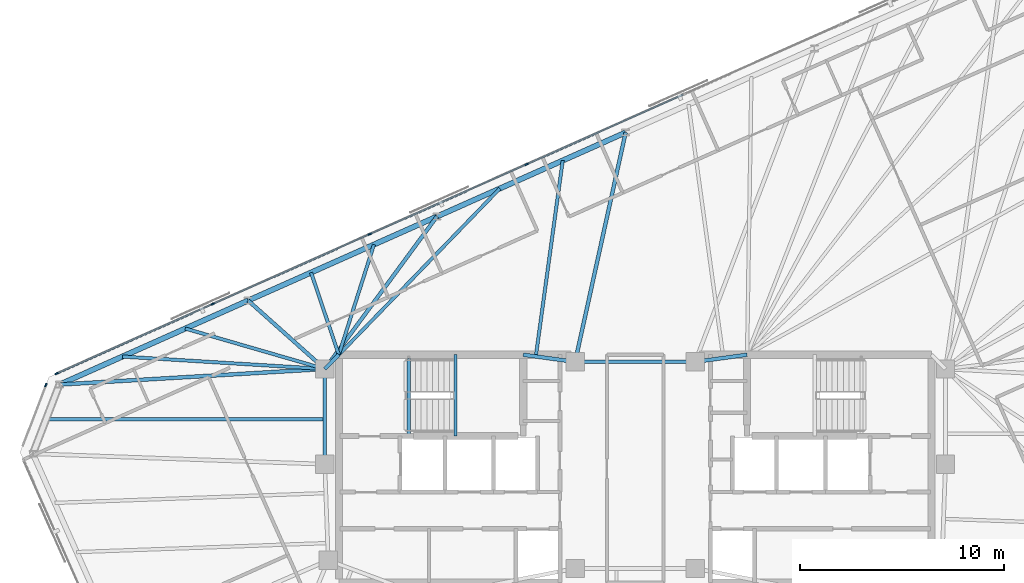
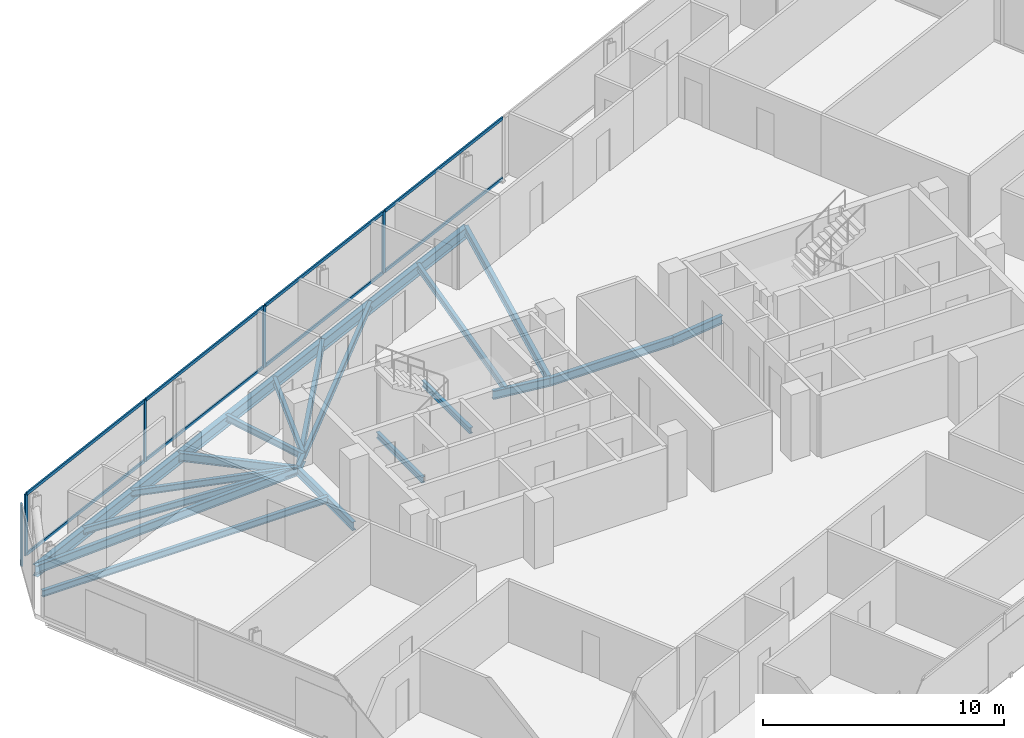
# One storey, part 9 of 18: 21 beams, 13 members, 2 elements without a shape of their own.
"""IFC4 building model written with IfcOpenShell, lengths in metres."""

import ifcopenshell
import ifcopenshell.guid

model = None  # the IFC model being written
_history = None  # IfcOwnerHistory: only IFC2X3 demands one
_inside = {}  # id of a spatial element -> (the spatial element, [elements in it])
_under = {}  # id of a project, library or spatial element -> (it, [spatial elements below it])
_declared = {}  # id of a project -> (the project, [libraries it declares])
_typed = {}  # id of a type object -> (the type object, [elements of that type])
_made_of = {}  # id of a material, layer set ... -> (it, [elements and type objects made of it])


def new_model(schema):
    """Start an empty IFC model of exactly this schema.

    Asked for "IFC4X3", IfcOpenShell would pick the latest addendum, in which some entities
    have other attributes; the version numbers below select the first issue.
    IFC2X3 requires an IfcOwnerHistory on every rooted entity: one is made here for all.
    """
    global model, _history
    if schema == "IFC4X3":
        model = ifcopenshell.file(schema_version=(4, 3, 0, 0))
    else:
        model = ifcopenshell.file(schema=schema)
    _inside.clear()
    _under.clear()
    _declared.clear()
    _typed.clear()
    _made_of.clear()
    _history = None
    if model.schema == "IFC2X3":
        org = make("IfcOrganization", Name="unknown")
        user = make(
            "IfcPersonAndOrganization",
            ThePerson=make("IfcPerson", FamilyName="unknown"),
            TheOrganization=org,
        )
        app = make(
            "IfcApplication",
            ApplicationDeveloper=org,
            Version="unknown",
            ApplicationFullName="unknown",
            ApplicationIdentifier="unknown",
        )
        _history = make(
            "IfcOwnerHistory",
            OwningUser=user,
            OwningApplication=app,
            ChangeAction="ADDED",
            CreationDate=0,
        )
    return model


def make(cls, **values):
    """One entity of the class cls with the attributes given. An attribute that is None is left unset."""
    return model.create_entity(
        cls, **{name: value for name, value in values.items() if value is not None}
    )


def rooted(cls, **values):
    """An entity with a GlobalId (a new one), such as an element, a storey or a relation."""
    return make(cls, GlobalId=ifcopenshell.guid.new(), OwnerHistory=_history, **values)


def si_unit(unit_type, name, prefix=None):
    """IfcSIUnit, for example si_unit("LENGTHUNIT", "METRE", prefix="MILLI")."""
    return make("IfcSIUnit", UnitType=unit_type, Prefix=prefix, Name=name)


def assignment(units):
    """IfcUnitAssignment: the units of a project."""
    return None if units is None else make("IfcUnitAssignment", Units=units)


def point(xyz):
    """IfcCartesianPoint."""
    return None if xyz is None else make("IfcCartesianPoint", Coordinates=xyz)


def direction(xyz):
    """IfcDirection."""
    return None if xyz is None else make("IfcDirection", DirectionRatios=xyz)


def frame(location, z_axis=None, x_axis=None):
    """IfcAxis2Placement3D, a coordinate frame: its origin and axes. An axis left out is left unset."""
    return make(
        "IfcAxis2Placement3D",
        Location=point(location),
        Axis=direction(z_axis),
        RefDirection=direction(x_axis),
    )


def frame_2d(location, x_axis=None):
    """IfcAxis2Placement2D, a coordinate frame in the plane: its origin and x axis."""
    return make(
        "IfcAxis2Placement2D", Location=point(location), RefDirection=direction(x_axis)
    )


def origin():
    """The frame at (0, 0, 0) with its axes left unset."""
    return frame((0.0, 0.0, 0.0))


def origin_2d():
    """The frame at (0, 0) in the plane with its x axis left unset."""
    return frame_2d((0.0, 0.0))


def place(relative_to, where):
    """IfcLocalPlacement: puts the frame where relative to a parent placement (None: the world)."""
    return make(
        "IfcLocalPlacement", PlacementRelTo=relative_to, RelativePlacement=where
    )


def context(
    kind, dimensions, precision=None, world=None, true_north=None, identifier=None
):
    """IfcGeometricRepresentationContext, for example the 3D "Model" context."""
    return make(
        "IfcGeometricRepresentationContext",
        ContextIdentifier=identifier,
        ContextType=kind,
        CoordinateSpaceDimension=dimensions,
        Precision=precision,
        WorldCoordinateSystem=world,
        TrueNorth=true_north,
    )


def subcontext(parent, identifier, kind, view, scale=None):
    """IfcGeometricRepresentationSubContext, for example "Body" below "Model"."""
    return make(
        "IfcGeometricRepresentationSubContext",
        ContextIdentifier=identifier,
        ContextType=kind,
        ParentContext=parent,
        TargetScale=scale,
        TargetView=view,
    )


def project(units=None, contexts=None):
    """IfcProject with its units and contexts."""
    return rooted(
        "IfcProject",
        Name="project",
        RepresentationContexts=contexts,
        UnitsInContext=assignment(units),
    )


def spatial(cls, under=None, at=None, **own):
    """A site, building, storey or space (cls), placed at a placement, below another one or the project."""
    s = rooted(cls, ObjectPlacement=at, **own)
    if under is not None:
        _under.setdefault(under.id(), (under, []))[1].append(s)
    return s


def profile(cls, at=None, kind="AREA", **sizes):
    """A parametric profile (cls). Its sizes go by their IFC names, for example OverallWidth=200.0."""
    return make(cls, ProfileType=kind, Position=at, **sizes)


def rectangle(**sizes):
    """IfcRectangleProfileDef."""
    return profile("IfcRectangleProfileDef", **sizes)


def i_section(**sizes):
    """IfcIShapeProfileDef."""
    return profile("IfcIShapeProfileDef", **sizes)


def extrude(swept, where, along, depth):
    """IfcExtrudedAreaSolid: the profile swept, set in the frame where, extruded along a direction by depth."""
    return make(
        "IfcExtrudedAreaSolid",
        SweptArea=swept,
        Position=where,
        ExtrudedDirection=direction(along),
        Depth=depth,
    )


def shape(context_of_items, identifier, shape_type, items):
    """IfcShapeRepresentation: the items that make up one representation, for example the "Body"."""
    return make(
        "IfcShapeRepresentation",
        ContextOfItems=context_of_items,
        RepresentationIdentifier=identifier,
        RepresentationType=shape_type,
        Items=items,
    )


def material(Name=None, Category=None):
    """IfcMaterial."""
    return make("IfcMaterial", Name=Name, Category=Category)


def material_profile(
    of_material, cross_section, Name=None, Category=None, Priority=None
):
    """IfcMaterialProfile: a cross section and its material."""
    return make(
        "IfcMaterialProfile",
        Name=Name,
        Material=of_material,
        Profile=cross_section,
        Priority=Priority,
        Category=Category,
    )


def profile_set(profiles, Name=None, composite=None):
    """IfcMaterialProfileSet."""
    return make(
        "IfcMaterialProfileSet",
        Name=Name,
        MaterialProfiles=profiles,
        CompositeProfile=composite,
    )


def made_of(thing, what):
    """Note that an element or type object is made of a material, layer set ...; save() writes the relation."""
    if what is not None:
        _made_of.setdefault(what.id(), (what, []))[1].append(thing)
    return thing


def type_object(cls, material=None, **own):
    """A type object (cls), such as IfcWallType, which elements share."""
    return made_of(rooted(cls, **own), material)


def element(
    cls,
    number,
    at=None,
    inside=None,
    cuts=None,
    type_object=None,
    material=None,
    context=None,
    identifier="Body",
    shape_type=None,
    held_by="IfcProductDefinitionShape",
    body=None,
    shapes=None,
    **own,
):
    """One element of the class cls, such as IfcWall. Its Tag is "e" and its number.

    at: its placement. inside: the storey or other place that contains it. cuts: it is an
    opening in that element (IfcRelVoidsElement). A single representation is given by context,
    identifier, shape_type and body (its items); several are given by shapes. held_by: the class
    of the entity that holds the representations. save() writes the other relations.
    """
    e = rooted(cls, Tag="e%d" % number, ObjectPlacement=at, **own)
    if body is not None:
        shapes = [shape(context, identifier, shape_type, body)]
    if shapes is not None:
        e.Representation = make(held_by, Representations=shapes)
    if inside is not None:
        _inside.setdefault(inside.id(), (inside, []))[1].append(e)
    if cuts is not None:
        rooted(
            "IfcRelVoidsElement", RelatingBuildingElement=cuts, RelatedOpeningElement=e
        )
    if type_object is not None:
        _typed.setdefault(type_object.id(), (type_object, []))[1].append(e)
    return made_of(e, material)


def aggregate(whole, parts):
    """IfcRelAggregates: a whole, such as a stair, and the parts it consists of."""
    return rooted("IfcRelAggregates", RelatingObject=whole, RelatedObjects=parts)


def save(model, path):
    """Write the relations noted so far, then the file.

    IfcRelAggregates (storeys below a building ...), IfcRelContainedInSpatialStructure (elements
    in a storey), IfcRelDefinesByType, IfcRelAssociatesMaterial and IfcRelDeclares: one each for
    every whole, place, type object, material and project.
    """
    for whole, parts in _under.values():
        aggregate(whole, parts)
    for where, things in _inside.values():
        rooted(
            "IfcRelContainedInSpatialStructure",
            RelatedElements=things,
            RelatingStructure=where,
        )
    for kind, things in _typed.values():
        rooted("IfcRelDefinesByType", RelatedObjects=things, RelatingType=kind)
    for what, things in _made_of.values():
        rooted("IfcRelAssociatesMaterial", RelatedObjects=things, RelatingMaterial=what)
    for by, libraries in _declared.values():
        rooted("IfcRelDeclares", RelatingContext=by, RelatedDefinitions=libraries)
    model.write(path)


model = new_model("IFC4")

# Units and contexts
model_context = context("Model", 3, precision=1e-05, world=origin(), true_north=direction((0.0, 1.0)))
body_context = subcontext(model_context, "Body", "Model", "MODEL_VIEW")
ifc_project = project(units=[si_unit("LENGTHUNIT", "METRE"), si_unit("AREAUNIT", "SQUARE_METRE"), si_unit("VOLUMEUNIT", "CUBIC_METRE"), si_unit("PLANEANGLEUNIT", "RADIAN"), si_unit("MASSUNIT", "GRAM", prefix="KILO")], contexts=[model_context])

# Site, building, storey
site_placement = place(None, origin())
site = spatial("IfcSite", under=ifc_project, at=site_placement, CompositionType="ELEMENT")
building_placement = place(site_placement, origin())
building = spatial("IfcBuilding", under=site, at=building_placement, Name="Menara Jurai Vektor", CompositionType="ELEMENT")
storey_placement = place(building_placement, frame((0.0, 0.0, 298.64990234375)))
storey = spatial("IfcBuildingStorey", under=building, at=storey_placement, Name="L80", CompositionType="ELEMENT", Elevation=298.64990234375)

# Curtain wall, members
ifc_material_1 = material(Name="Anodised Pale Aluminium & Low-E Double Glazing", Category="aluminium")
curtain_wall_type = type_object("IfcCurtainWallType", Name="CW-BLK5", PredefinedType="NOTDEFINED", material=ifc_material_1)
curtain_wall_1_placement = place(storey_placement, origin())
curtain_wall_1 = element("IfcCurtainWall", 1, at=curtain_wall_1_placement, inside=storey, type_object=curtain_wall_type, Name="Unitised Curtain Wall L80 F05", PredefinedType="NOTDEFINED")
ifc_material_2 = material(Name="Anodised Pale Aluminium Mullion", Category="aluminium")
ifc_material_profile_1 = material_profile(ifc_material_2, rectangle(XDim=0.074951171875, YDim=0.175048828125, at=origin_2d()), Name="ALU MUL 75x175")
ifc_profile_set_1 = profile_set([ifc_material_profile_1], Name="Anodised Pale Aluminium Mullion")
member_type_1 = type_object("IfcMemberType", Name="CW-BLK5-MUL", PredefinedType="MULLION", material=ifc_profile_set_1)
member_1_placement = place(storey_placement, frame((-5.327880859375, 14.957275390625, 0.0), z_axis=(0.0, 0.0, 1.0), x_axis=(0.406735498684, -0.913545967158, 0.0)))
member_1 = element("IfcMember", 2, at=member_1_placement, type_object=member_type_1, Name="CW-05 mullion 4", PredefinedType="MULLION", context=body_context, shape_type="SweptSolid", body=[
    extrude(rectangle(XDim=0.074951171875, YDim=0.175048828125, at=origin_2d()), origin(), (0.0, 0.0, 1.0), 3.125),
])
member_2_placement = place(storey_placement, frame((-13.038330078125, 11.5244140625, 0.0), z_axis=(0.0, 0.0, 1.0), x_axis=(0.406735498684, -0.913545967158, 0.0)))
member_2 = element("IfcMember", 3, at=member_2_placement, type_object=member_type_1, Name="CW-05 mullion 5", PredefinedType="MULLION", context=body_context, shape_type="SweptSolid", body=[
    extrude(rectangle(XDim=0.074951171875, YDim=0.175048828125, at=origin_2d()), origin(), (0.0, 0.0, 1.0), 3.125),
])
member_3_placement = place(storey_placement, frame((-20.748779296875, 8.091552734375, 0.0), z_axis=(0.0, 0.0, 1.0), x_axis=(0.406735498684, -0.913545967158, 0.0)))
member_3 = element("IfcMember", 4, at=member_3_placement, type_object=member_type_1, Name="CW-05 mullion 6", PredefinedType="MULLION", context=body_context, shape_type="SweptSolid", body=[
    extrude(rectangle(XDim=0.074951171875, YDim=0.175048828125, at=origin_2d()), origin(), (0.0, 0.0, 1.0), 3.125),
])
member_4_placement = place(storey_placement, frame((-28.4248046875, 4.674072265625, 0.0), z_axis=(0.0, 0.0, 1.0), x_axis=(0.406735498684, -0.913545967158, 0.0)))
member_4 = element("IfcMember", 5, at=member_4_placement, type_object=member_type_1, Name="CW-05 mullion 7", PredefinedType="MULLION", context=body_context, shape_type="SweptSolid", body=[
    extrude(rectangle(XDim=0.074951171875, YDim=0.175048828125, at=origin_2d()), origin(), (0.0, 0.0, 1.0), 3.125),
])

# Curtain wall, member
curtain_wall_2_placement = place(storey_placement, origin())
curtain_wall_2 = element("IfcCurtainWall", 6, at=curtain_wall_2_placement, inside=storey, type_object=curtain_wall_type, Name="Unitised Curtain Wall L80 F06", PredefinedType="NOTDEFINED")
member_5_placement = place(storey_placement, frame((-28.955810546875, 4.114501953125, 0.0), z_axis=(0.0, 0.0, 1.0), x_axis=(0.933578193639, -0.358373766287, 0.0)))
member_5 = element("IfcMember", 7, at=member_5_placement, type_object=member_type_1, Name="CW-05 mullion 1", PredefinedType="MULLION", context=body_context, shape_type="SweptSolid", body=[
    extrude(rectangle(XDim=0.074951171875, YDim=0.175048828125, at=origin_2d()), origin(), (0.0, 0.0, 1.0), 3.125),
])
aggregate(curtain_wall_2, [member_5])

# Member
ifc_material_3 = material(Name="Anodised Pale Aluminium Transom", Category="aluminium")
ifc_material_profile_2 = material_profile(ifc_material_3, rectangle(XDim=0.074951171875, YDim=0.155029296875, at=origin_2d()), Name="ALU TRN 75x155")
ifc_profile_set_2 = profile_set([ifc_material_profile_2], Name="Anodised Pale Aluminium Transom")
member_type_2 = type_object("IfcMemberType", Name="CW-BLK5-TRN", PredefinedType="USERDEFINED", material=ifc_profile_set_2)
member_6_placement = place(storey_placement, frame((2.34814453125, 18.375, 0.03759765625), z_axis=(-0.913546575494, -0.406734132331, 0.0), x_axis=(0.406734132331, -0.913546575494, 0.0)))
member_6 = element("IfcMember", 8, at=member_6_placement, type_object=member_type_2, Name="CW-05 transom 3.1", ObjectType="TRANSOM", PredefinedType="USERDEFINED", context=body_context, shape_type="SweptSolid", body=[
    extrude(rectangle(XDim=0.074951171875, YDim=0.155029296875, at=origin_2d()), origin(), (0.0, 0.0, 1.0), 8.364990234375),
])

member_7_placement = place(storey_placement, frame((2.34814453125, 18.375, 3.087646484375), z_axis=(-0.913546575494, -0.406734132331, 0.0), x_axis=(0.406734132331, -0.913546575494, 0.0)))
member_7 = element("IfcMember", 9, at=member_7_placement, type_object=member_type_2, Name="CW-05 transom 3.2", ObjectType="TRANSOM", PredefinedType="USERDEFINED", context=body_context, shape_type="SweptSolid", body=[
    extrude(rectangle(XDim=0.074951171875, YDim=0.155029296875, at=origin_2d()), origin(), (0.0, 0.0, 1.0), 8.364990234375),
])

member_8_placement = place(storey_placement, frame((-5.3623046875, 14.942138671875, 0.03759765625), z_axis=(-0.913546575494, -0.406734132331, 0.0), x_axis=(0.406734132331, -0.913546575494, 0.0)))
member_8 = element("IfcMember", 10, at=member_8_placement, type_object=member_type_2, Name="CW-05 transom 4.1", ObjectType="TRANSOM", PredefinedType="USERDEFINED", context=body_context, shape_type="SweptSolid", body=[
    extrude(rectangle(XDim=0.074951171875, YDim=0.155029296875, at=origin_2d()), origin(), (0.0, 0.0, 1.0), 8.364990234375),
])

member_9_placement = place(storey_placement, frame((-5.3623046875, 14.942138671875, 3.087646484375), z_axis=(-0.913546575494, -0.406734132331, 0.0), x_axis=(0.406734132331, -0.913546575494, 0.0)))
member_9 = element("IfcMember", 11, at=member_9_placement, type_object=member_type_2, Name="CW-05 transom 4.2", ObjectType="TRANSOM", PredefinedType="USERDEFINED", context=body_context, shape_type="SweptSolid", body=[
    extrude(rectangle(XDim=0.074951171875, YDim=0.155029296875, at=origin_2d()), origin(), (0.0, 0.0, 1.0), 8.364990234375),
])

member_10_placement = place(storey_placement, frame((-13.072509765625, 11.50927734375, 0.03759765625), z_axis=(-0.913546575494, -0.406734132331, 0.0), x_axis=(0.406734132331, -0.913546575494, 0.0)))
member_10 = element("IfcMember", 12, at=member_10_placement, type_object=member_type_2, Name="CW-05 transom 5.1", ObjectType="TRANSOM", PredefinedType="USERDEFINED", context=body_context, shape_type="SweptSolid", body=[
    extrude(rectangle(XDim=0.074951171875, YDim=0.155029296875, at=origin_2d()), origin(), (0.0, 0.0, 1.0), 8.364990234375),
])

member_11_placement = place(storey_placement, frame((-13.072509765625, 11.50927734375, 3.087646484375), z_axis=(-0.913546575494, -0.406734132331, 0.0), x_axis=(0.406734132331, -0.913546575494, 0.0)))
member_11 = element("IfcMember", 13, at=member_11_placement, type_object=member_type_2, Name="CW-05 transom 5.2", ObjectType="TRANSOM", PredefinedType="USERDEFINED", context=body_context, shape_type="SweptSolid", body=[
    extrude(rectangle(XDim=0.074951171875, YDim=0.155029296875, at=origin_2d()), origin(), (0.0, 0.0, 1.0), 8.364990234375),
])

member_12_placement = place(storey_placement, frame((-20.782958984375, 8.076416015625, 0.03759765625), z_axis=(-0.91353811338, -0.406753138159, 0.0), x_axis=(0.406753138159, -0.91353811338, 0.0)))
member_12 = element("IfcMember", 14, at=member_12_placement, type_object=member_type_2, Name="CW-05 transom 6.1", ObjectType="TRANSOM", PredefinedType="USERDEFINED", context=body_context, shape_type="SweptSolid", body=[
    extrude(rectangle(XDim=0.074951171875, YDim=0.155029296875, at=origin_2d()), origin(), (0.0, 0.0, 1.0), 8.327392578125),
])

member_13_placement = place(storey_placement, frame((-20.782958984375, 8.076416015625, 3.087646484375), z_axis=(-0.91353811338, -0.406753138159, 0.0), x_axis=(0.406753138159, -0.91353811338, 0.0)))
member_13 = element("IfcMember", 15, at=member_13_placement, type_object=member_type_2, Name="CW-05 transom 6.2", ObjectType="TRANSOM", PredefinedType="USERDEFINED", context=body_context, shape_type="SweptSolid", body=[
    extrude(rectangle(XDim=0.074951171875, YDim=0.155029296875, at=origin_2d()), origin(), (0.0, 0.0, 1.0), 8.327392578125),
])

aggregate(curtain_wall_1, [member_1, member_2, member_3, member_4, member_6, member_7, member_8, member_9, member_10, member_11, member_12, member_13])

# Beams
ifc_material_4 = material(Name="Steel S355", Category="steel")
ifc_material_profile_3 = material_profile(ifc_material_4, i_section(OverallWidth=0.18505859375, OverallDepth=0.429931640625, WebThickness=0.010986328125, FlangeThickness=0.01806640625, at=origin_2d()), Name="PG 430x185x76")
ifc_profile_set_3 = profile_set([ifc_material_profile_3], Name="Steel S355")
beam_type_1 = type_object("IfcBeamType", Name="STR-BM-430", PredefinedType="BEAM", material=ifc_profile_set_3)
beam_1_placement = place(storey_placement, frame((-15.25, 4.89990234375, -0.43994140625), z_axis=(0.701871936926, 0.712303154672, 0.0), x_axis=(-0.712303154672, 0.701871936926, 0.0)))
element("IfcBeam", 16, at=beam_1_placement, inside=storey, type_object=beam_type_1, Name="Core Ring Header Girder L80-CHW-N1", PredefinedType="BEAM", context=body_context, shape_type="SweptSolid", body=[
    extrude(i_section(OverallWidth=0.18505859375, OverallDepth=0.429931640625, WebThickness=0.010986328125, FlangeThickness=0.01806640625, at=origin_2d()), origin(), (0.0, 0.0, 1.0), 0.98291015625),
])
beam_2_placement = place(storey_placement, frame((-5.5, 5.60009765625, -0.43994140625), z_axis=(0.990706818608, -0.136014703483, 0.0), x_axis=(0.136014703483, 0.990706818608, 0.0)))
element("IfcBeam", 17, at=beam_2_placement, inside=storey, type_object=beam_type_1, Name="Core Ring Header Girder L80-CHW-N2", PredefinedType="BEAM", context=body_context, shape_type="SweptSolid", body=[
    extrude(i_section(OverallWidth=0.18505859375, OverallDepth=0.429931640625, WebThickness=0.010986328125, FlangeThickness=0.01806640625, at=origin_2d()), origin(), (0.0, 0.0, 1.0), 2.573974609375),
])
beam_3_placement = place(storey_placement, frame((-15.25, 0.219970703125, -0.43994140625), z_axis=(0.0, 1.0, 0.0), x_axis=(-1.0, 0.0, 0.0)))
element("IfcBeam", 18, at=beam_3_placement, inside=storey, type_object=beam_type_1, Name="Core Ring Header Girder L80-CHW-W1", PredefinedType="BEAM", context=body_context, shape_type="SweptSolid", body=[
    extrude(i_section(OverallWidth=0.18505859375, OverallDepth=0.429931640625, WebThickness=0.010986328125, FlangeThickness=0.01806640625, at=origin_2d()), origin(), (0.0, 0.0, 1.0), 4.679931640625),
])
beam_4_placement = place(storey_placement, frame((2.949951171875, 5.25, -0.43994140625), z_axis=(0.990706818608, 0.136014703483, 0.0), x_axis=(-0.136014703483, 0.990706818608, 0.0)))
element("IfcBeam", 19, at=beam_4_placement, inside=storey, type_object=beam_type_1, Name="Core Ring Header Girder L80-CHE-N1", PredefinedType="BEAM", context=body_context, shape_type="SweptSolid", body=[
    extrude(i_section(OverallWidth=0.18505859375, OverallDepth=0.429931640625, WebThickness=0.010986328125, FlangeThickness=0.01806640625, at=origin_2d()), origin(), (0.0, 0.0, 1.0), 2.573974609375),
])
beam_5_placement = place(storey_placement, frame((-2.949951171875, 5.25, -0.43994140625), z_axis=(1.0, 0.0, 0.0), x_axis=(0.0, 1.0, 0.0)))
element("IfcBeam", 20, at=beam_5_placement, inside=storey, type_object=beam_type_1, Name="Core Ring Header Girder L80-CC-2", PredefinedType="BEAM", context=body_context, shape_type="SweptSolid", body=[
    extrude(i_section(OverallWidth=0.18505859375, OverallDepth=0.429931640625, WebThickness=0.010986328125, FlangeThickness=0.01806640625, at=origin_2d()), origin(), (0.0, 0.0, 1.0), 5.89990234375),
])
beam_6_placement = place(storey_placement, frame((-0.467529296875, 16.519287109375, -0.43994140625), z_axis=(-0.215124522255, -0.976586626943, 0.0), x_axis=(0.976586626943, -0.215124522255, 0.0)))
element("IfcBeam", 21, at=beam_6_placement, inside=storey, type_object=beam_type_1, Name="Radial Floor Girder L80-N3", PredefinedType="BEAM", context=body_context, shape_type="SweptSolid", body=[
    extrude(i_section(OverallWidth=0.18505859375, OverallDepth=0.429931640625, WebThickness=0.010986328125, FlangeThickness=0.01806640625, at=origin_2d()), origin(), (0.0, 0.0, 1.0), 11.53955078125),
])
beam_7_placement = place(storey_placement, frame((-9.740966796875, 12.390380859375, -0.43994140625), z_axis=(-0.592483178081, -0.805582822366, 0.0), x_axis=(0.805582822366, -0.592483178081, 0.0)))
element("IfcBeam", 22, at=beam_7_placement, inside=storey, type_object=beam_type_1, Name="Radial Floor Girder L80-N4", PredefinedType="BEAM", context=body_context, shape_type="SweptSolid", body=[
    extrude(i_section(OverallWidth=0.18505859375, OverallDepth=0.429931640625, WebThickness=0.010986328125, FlangeThickness=0.01806640625, at=origin_2d()), origin(), (0.0, 0.0, 1.0), 9.298095703125),
])
beam_8_placement = place(storey_placement, frame((-19.0146484375, 8.26171875, -0.43994140625), z_axis=(0.745886163995, -0.666073442167, 0.0), x_axis=(0.666073442167, 0.745886163995, 0.0)))
element("IfcBeam", 23, at=beam_8_placement, inside=storey, type_object=beam_type_1, Name="Radial Floor Girder L80-N5", PredefinedType="BEAM", context=body_context, shape_type="SweptSolid", body=[
    extrude(i_section(OverallWidth=0.18505859375, OverallDepth=0.429931640625, WebThickness=0.010986328125, FlangeThickness=0.01806640625, at=origin_2d()), origin(), (0.0, 0.0, 1.0), 5.047119140625),
])
beam_9_placement = place(storey_placement, frame((-28.2880859375, 4.1328125, -0.43994140625), z_axis=(0.998273728533, 0.058732979834, 0.0), x_axis=(-0.058732979834, 0.998273728533, 0.0)))
element("IfcBeam", 24, at=beam_9_placement, inside=storey, type_object=beam_type_1, Name="Radial Floor Girder L80-N6", PredefinedType="BEAM", context=body_context, shape_type="SweptSolid", body=[
    extrude(i_section(OverallWidth=0.18505859375, OverallDepth=0.429931640625, WebThickness=0.010986328125, FlangeThickness=0.01806640625, at=origin_2d()), origin(), (0.0, 0.0, 1.0), 13.060546875),
])
ifc_material_profile_4 = material_profile(ifc_material_4, i_section(OverallWidth=0.1650390625, OverallDepth=0.330078125, WebThickness=0.009033203125, FlangeThickness=0.013916015625, at=origin_2d()), Name="PG 330x165x46")
ifc_profile_set_4 = profile_set([ifc_material_profile_4], Name="Steel S355")
beam_type_2 = type_object("IfcBeamType", Name="STR-JS-330", PredefinedType="JOIST", material=ifc_profile_set_4)
beam_10_placement = place(storey_placement, frame((-3.55859375, 15.14306640625, -0.389892578125), z_axis=(-0.135981954601, -0.990711314169, 0.0), x_axis=(0.990711314169, -0.135981954601, 0.0)))
element("IfcBeam", 25, at=beam_10_placement, inside=storey, type_object=beam_type_2, Name="Radial Secondary Floor Joist L80-JS19", PredefinedType="JOIST", context=body_context, shape_type="SweptSolid", body=[
    extrude(i_section(OverallWidth=0.1650390625, OverallDepth=0.330078125, WebThickness=0.009033203125, FlangeThickness=0.013916015625, at=origin_2d()), origin(), (0.0, 0.0, 1.0), 9.718505859375),
])
beam_11_placement = place(storey_placement, frame((-6.64990234375, 13.766845703125, -0.389892578125), z_axis=(-0.695732556791, -0.718300918433, 0.0), x_axis=(0.718300918433, -0.695732556791, 0.0)))
element("IfcBeam", 26, at=beam_11_placement, inside=storey, type_object=beam_type_2, Name="Radial Secondary Floor Joist L80-JS20", PredefinedType="JOIST", context=body_context, shape_type="SweptSolid", body=[
    extrude(i_section(OverallWidth=0.1650390625, OverallDepth=0.330078125, WebThickness=0.009033203125, FlangeThickness=0.013916015625, at=origin_2d()), origin(), (0.0, 0.0, 1.0), 11.36962890625),
])
beam_12_placement = place(storey_placement, frame((-12.832275390625, 11.01416015625, -0.389892578125), z_axis=(-0.304022753529, -0.952664770702, 0.0), x_axis=(0.952664770702, -0.304022753529, 0.0)))
element("IfcBeam", 27, at=beam_12_placement, inside=storey, type_object=beam_type_2, Name="Radial Secondary Floor Joist L80-JS21", PredefinedType="JOIST", context=body_context, shape_type="SweptSolid", body=[
    extrude(i_section(OverallWidth=0.1650390625, OverallDepth=0.330078125, WebThickness=0.009033203125, FlangeThickness=0.013916015625, at=origin_2d()), origin(), (0.0, 0.0, 1.0), 5.68310546875),
])
beam_13_placement = place(storey_placement, frame((-15.92333984375, 9.637939453125, -0.389892578125), z_axis=(0.319885998438, -0.947456040143, 0.0), x_axis=(0.947456040143, 0.319885998438, 0.0)))
element("IfcBeam", 28, at=beam_13_placement, inside=storey, type_object=beam_type_2, Name="Radial Secondary Floor Joist L80-JS22", PredefinedType="JOIST", context=body_context, shape_type="SweptSolid", body=[
    extrude(i_section(OverallWidth=0.1650390625, OverallDepth=0.330078125, WebThickness=0.009033203125, FlangeThickness=0.013916015625, at=origin_2d()), origin(), (0.0, 0.0, 1.0), 4.26171875),
])
beam_14_placement = place(storey_placement, frame((-22.105712890625, 6.885498046875, -0.389892578125), z_axis=(0.960525066064, -0.278193453306, 0.0), x_axis=(0.278193453306, 0.960525066064, 0.0)))
element("IfcBeam", 29, at=beam_14_placement, inside=storey, type_object=beam_type_2, Name="Radial Secondary Floor Joist L80-JS23", PredefinedType="JOIST", context=body_context, shape_type="SweptSolid", body=[
    extrude(i_section(OverallWidth=0.1650390625, OverallDepth=0.330078125, WebThickness=0.009033203125, FlangeThickness=0.013916015625, at=origin_2d()), origin(), (0.0, 0.0, 1.0), 7.137451171875),
])
beam_15_placement = place(storey_placement, frame((-25.197021484375, 5.509033203125, -0.389892578125), z_axis=(0.998130240593, -0.061123013776, 0.0), x_axis=(0.061123013776, 0.998130240593, 0.0)))
element("IfcBeam", 30, at=beam_15_placement, inside=storey, type_object=beam_type_2, Name="Radial Secondary Floor Joist L80-JS24", PredefinedType="JOIST", context=body_context, shape_type="SweptSolid", body=[
    extrude(i_section(OverallWidth=0.1650390625, OverallDepth=0.330078125, WebThickness=0.009033203125, FlangeThickness=0.013916015625, at=origin_2d()), origin(), (0.0, 0.0, 1.0), 9.965576171875),
])
beam_16_placement = place(storey_placement, frame((-28.93994140625, 2.434814453125, -0.389892578125), z_axis=(1.0, 0.0, 0.0), x_axis=(0.0, 1.0, 0.0)))
element("IfcBeam", 31, at=beam_16_placement, inside=storey, type_object=beam_type_2, Name="Radial Secondary Floor Joist L80-JS25", PredefinedType="JOIST", context=body_context, shape_type="SweptSolid", body=[
    extrude(i_section(OverallWidth=0.1650390625, OverallDepth=0.330078125, WebThickness=0.009033203125, FlangeThickness=0.013916015625, at=origin_2d()), origin(), (0.0, 0.0, 1.0), 13.68994140625),
])
ifc_material_profile_5 = material_profile(ifc_material_4, i_section(OverallWidth=0.1650390625, OverallDepth=0.302978515625, WebThickness=0.006103515625, FlangeThickness=0.010009765625, FilletRadius=0.009033203125, at=origin_2d()), Name="UKB 305x165x40")
ifc_profile_set_5 = profile_set([ifc_material_profile_5], Name="Steel S355")
beam_type_3 = type_object("IfcBeamType", Name="STR-LN-305", PredefinedType="LINTEL", material=ifc_profile_set_5)
beam_17_placement = place(storey_placement, frame((-11.1201171875, 1.60009765625, -0.37646484375), z_axis=(0.0, 1.0, 0.0), x_axis=(-1.0, 0.0, 0.0)))
element("IfcBeam", 32, at=beam_17_placement, inside=storey, type_object=beam_type_3, Name="Stair Well Floor Trimmer ST1 L80", PredefinedType="LINTEL", context=body_context, shape_type="SweptSolid", body=[
    extrude(i_section(OverallWidth=0.1650390625, OverallDepth=0.302978515625, WebThickness=0.006103515625, FlangeThickness=0.010009765625, FilletRadius=0.009033203125, at=origin_2d()), origin(), (0.0, 0.0, 1.0), 3.81982421875),
])
beam_18_placement = place(storey_placement, frame((-8.830078125, 1.60009765625, 1.323486328125), z_axis=(0.0, 1.0, 0.0), x_axis=(-1.0, 0.0, 0.0)))
element("IfcBeam", 33, at=beam_18_placement, inside=storey, type_object=beam_type_3, Name="Stair Half-Landing Nosing Trimmer ST1-1 L80", PredefinedType="LINTEL", context=body_context, shape_type="SweptSolid", body=[
    extrude(i_section(OverallWidth=0.1650390625, OverallDepth=0.302978515625, WebThickness=0.006103515625, FlangeThickness=0.010009765625, FilletRadius=0.009033203125, at=origin_2d()), origin(), (0.0, 0.0, 1.0), 4.0),
])
ifc_material_profile_6 = material_profile(ifc_material_4, i_section(OverallWidth=0.260009765625, OverallDepth=0.570068359375, WebThickness=0.013916015625, FlangeThickness=0.02392578125, at=origin_2d()), Name="PG 570x260x145")
ifc_profile_set_6 = profile_set([ifc_material_profile_6], Name="Steel S355")
beam_type_4 = type_object("IfcBeamType", Name="STR-SP-570", PredefinedType="SPANDREL", material=ifc_profile_set_6)
for number, where, z_axis, x_axis, name in (
    (34, (-0.467529296875, 16.519287109375, -0.510009765625), (-0.913541582548, -0.406745346568, 0.0), (0.406745346568, -0.913541582548, 0.0), "Exoskeleton Spandrel Beam L80-13"),
    (35, (-9.740966796875, 12.390380859375, -0.510009765625), (-0.913554497648, -0.406716338284, 0.0), (0.406716338284, -0.913554497648, 0.0), "Exoskeleton Spandrel Beam L80-14"),
    (36, (-19.0146484375, 8.26171875, -0.510009765625), (-0.913541582548, -0.406745346568, 0.0), (0.406745346568, -0.913541582548, 0.0), "Exoskeleton Spandrel Beam L80-15"),
):
    element("IfcBeam", number, at=place(storey_placement, frame(where, z_axis=z_axis, x_axis=x_axis)), inside=storey, type_object=beam_type_4, Name=name, PredefinedType="SPANDREL", context=body_context, shape_type="SweptSolid", body=[
        extrude(i_section(OverallWidth=0.260009765625, OverallDepth=0.570068359375, WebThickness=0.013916015625, FlangeThickness=0.02392578125, at=origin_2d()), origin(), (0.0, 0.0, 1.0), 10.151123046875),
    ])

save(model, "model.ifc")
